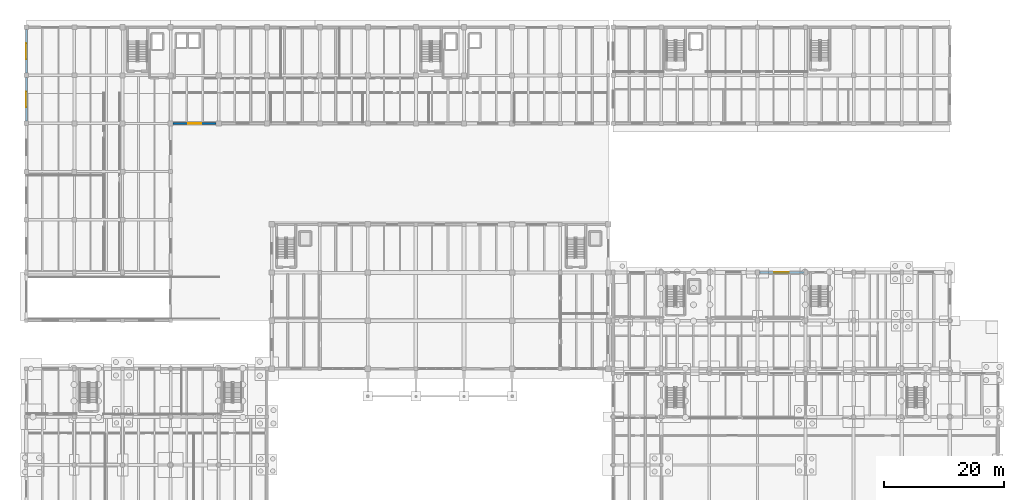
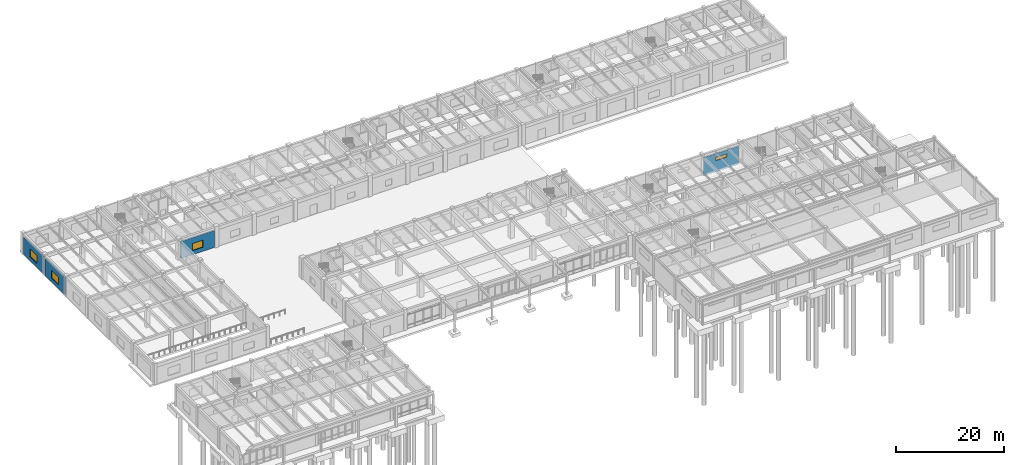
# One storey, part 38 of 64: 4 walls, 4 windows, 4 openings.
"""IFC4 building model written with IfcOpenShell, lengths in metres."""

from ifc_helpers import new_model, si_unit, direction, frame, frame_2d, origin, place, context, subcontext, project, spatial, rectangle, extrude, material, layer, layer_set, type_object, element, fill, save


model = new_model("IFC4")

# Units and contexts
model_context = context("Model", 3, precision=1e-05, world=origin(), true_north=direction((0.0, 1.0)))
body_context = subcontext(model_context, "Body", "Model", "MODEL_VIEW")
ifc_project = project(units=[si_unit("LENGTHUNIT", "METRE"), si_unit("AREAUNIT", "SQUARE_METRE"), si_unit("VOLUMEUNIT", "CUBIC_METRE"), si_unit("PLANEANGLEUNIT", "RADIAN"), si_unit("MASSUNIT", "GRAM", prefix="KILO")], contexts=[model_context])

# Site, building, storey
site_placement = place(None, origin())
site = spatial("IfcSite", under=ifc_project, at=site_placement, CompositionType="ELEMENT")
building_placement = place(site_placement, origin())
building = spatial("IfcBuilding", under=site, at=building_placement, Name="Tlaxcora Railside Police Headquarters", CompositionType="ELEMENT")
storey_placement = place(building_placement, origin())
storey = spatial("IfcBuildingStorey", under=building, at=storey_placement, Name="L00", CompositionType="ELEMENT", Elevation=0.0)

# Wall, opening, window
ifc_material_1 = material(Name="Volcanic basalt ashlar masonry", Category="masonry")
ifc_layer_1 = layer(ifc_material_1, 0.31494140625, Name="Volcanic basalt ashlar masonry")
ifc_layer_set_1 = layer_set([ifc_layer_1], Name="Volcanic basalt ashlar masonry")
wall_type_1 = type_object("IfcWallType", Name="Structural Bearing Wall EW-25", PredefinedType="SOLIDWALL", material=ifc_layer_set_1)
wall_1_placement = place(storey_placement, frame((29.625, 76.800048828125, 0.0), z_axis=(0.0, 0.0, 1.0), x_axis=(1.0, 0.0, 0.0)))
wall_1 = element("IfcWall", 1, at=wall_1_placement, inside=storey, type_object=wall_type_1, Name="V5 L00 exterior wall 2.0", PredefinedType="SOLIDWALL", context=body_context, shape_type="SweptSolid", body=[
    extrude(rectangle(XDim=7.14990234375, YDim=0.31494140625, at=frame_2d((3.574951171875, 0.0))), origin(), (0.0, 0.0, 1.0), 3.780029296875),
])
opening_1_placement = place(wall_1_placement, frame((2.47509765625, 0.0, 0.89990234375)))
opening_1 = element("IfcOpeningElement", 2, at=opening_1_placement, cuts=wall_1, Name="Opening WN-57", PredefinedType="OPENING", context=body_context, shape_type="SweptSolid", body=[
    extrude(rectangle(XDim=2.199951171875, YDim=1.60009765625, at=frame_2d((1.10009765625, 0.800048828125))), frame((0.0, 0.16748046875, 0.0), z_axis=(0.0, -1.0, 0.0), x_axis=(1.0, 0.0, 0.0)), (0.0, 0.0, 1.0), 0.3349609375),
])
ifc_material_2 = material(Name="Thermally broken low-E insulated glazing", Category="glass")
window_type_1 = type_object("IfcWindowType", Name="Exterior Framed or Circular Window WN-57", PartitioningType="SINGLE_PANEL", PredefinedType="WINDOW", material=ifc_material_2)
window_1_placement = place(opening_1_placement, origin())
window_1 = element("IfcWindow", 3, at=window_1_placement, inside=storey, type_object=window_type_1, Name="V5 L00 window 95", OverallHeight=1.60009765625, OverallWidth=2.199951171875, PartitioningType="SINGLE_PANEL", PredefinedType="WINDOW", context=body_context, shape_type="SweptSolid", body=[
    extrude(rectangle(XDim=2.199951171875, YDim=1.60009765625, at=frame_2d((1.10009765625, 0.800048828125))), frame((0.0, 0.030029296875, 0.0), z_axis=(0.0, -1.0, 0.0), x_axis=(1.0, 0.0, 0.0)), (0.0, 0.0, 1.0), 0.06005859375),
])
fill(opening_1, window_1)

wall_2_placement = place(storey_placement, frame((5.199951171875, 92.425048828125, 0.0), z_axis=(0.0, 0.0, 1.0), x_axis=(0.0, -1.0, 0.0)))
wall_2 = element("IfcWall", 4, at=wall_2_placement, inside=storey, type_object=wall_type_1, Name="V5 L00 exterior wall 5.0", PredefinedType="SOLIDWALL", context=body_context, shape_type="SweptSolid", body=[
    extrude(rectangle(XDim=7.25, YDim=0.31494140625, at=frame_2d((3.625, 0.0))), origin(), (0.0, 0.0, 1.0), 3.8798828125),
])
opening_2_placement = place(wall_2_placement, frame((2.324951171875, 0.0, 0.89990234375)))
opening_2 = element("IfcOpeningElement", 5, at=opening_2_placement, cuts=wall_2, Name="Opening WN-71", PredefinedType="OPENING", context=body_context, shape_type="SweptSolid", body=[
    extrude(rectangle(XDim=2.60009765625, YDim=1.800048828125, at=frame_2d((1.300048828125, 0.89990234375))), frame((0.0, 0.16748046875, 0.0), z_axis=(0.0, -1.0, 0.0), x_axis=(1.0, 0.0, 0.0)), (0.0, 0.0, 1.0), 0.3349609375),
])
window_type_2 = type_object("IfcWindowType", Name="Exterior Framed or Circular Window WN-71", PartitioningType="SINGLE_PANEL", PredefinedType="WINDOW", material=ifc_material_2)
window_2_placement = place(opening_2_placement, origin())
window_2 = element("IfcWindow", 6, at=window_2_placement, inside=storey, type_object=window_type_2, Name="V5 L00 window 109", OverallHeight=1.800048828125, OverallWidth=2.60009765625, PartitioningType="SINGLE_PANEL", PredefinedType="WINDOW", context=body_context, shape_type="SweptSolid", body=[
    extrude(rectangle(XDim=2.60009765625, YDim=1.800048828125, at=frame_2d((1.300048828125, 0.89990234375))), frame((0.0, 0.030029296875, 0.0), z_axis=(0.0, -1.0, 0.0), x_axis=(1.0, 0.0, 0.0)), (0.0, 0.0, 1.0), 0.06005859375),
])
fill(opening_2, window_2)

wall_3_placement = place(storey_placement, frame((5.199951171875, 84.425048828125, 0.0), z_axis=(0.0, 0.0, 1.0), x_axis=(0.0, -1.0, 0.0)))
wall_3 = element("IfcWall", 7, at=wall_3_placement, inside=storey, type_object=wall_type_1, Name="V5 L00 exterior wall 5.1", PredefinedType="SOLIDWALL", context=body_context, shape_type="SweptSolid", body=[
    extrude(rectangle(XDim=7.25, YDim=0.31494140625, at=frame_2d((3.625, 0.0))), origin(), (0.0, 0.0, 1.0), 3.8798828125),
])
opening_3_placement = place(wall_3_placement, frame((2.324951171875, 0.0, 0.89990234375)))
opening_3 = element("IfcOpeningElement", 8, at=opening_3_placement, cuts=wall_3, Name="Opening WN-71", PredefinedType="OPENING", context=body_context, shape_type="SweptSolid", body=[
    extrude(rectangle(XDim=2.60009765625, YDim=1.800048828125, at=frame_2d((1.300048828125, 0.89990234375))), frame((0.0, 0.16748046875, 0.0), z_axis=(0.0, -1.0, 0.0), x_axis=(1.0, 0.0, 0.0)), (0.0, 0.0, 1.0), 0.3349609375),
])
window_3_placement = place(opening_3_placement, origin())
window_3 = element("IfcWindow", 9, at=window_3_placement, inside=storey, type_object=window_type_2, Name="V5 L00 window 110", OverallHeight=1.800048828125, OverallWidth=2.60009765625, PartitioningType="SINGLE_PANEL", PredefinedType="WINDOW", context=body_context, shape_type="SweptSolid", body=[
    extrude(rectangle(XDim=2.60009765625, YDim=1.800048828125, at=frame_2d((1.300048828125, 0.89990234375))), frame((0.0, 0.030029296875, 0.0), z_axis=(0.0, -1.0, 0.0), x_axis=(1.0, 0.0, 0.0)), (0.0, 0.0, 1.0), 0.06005859375),
])
fill(opening_3, window_3)

ifc_layer_2 = layer(ifc_material_1, 0.360107421875, Name="Volcanic basalt ashlar masonry")
ifc_layer_set_2 = layer_set([ifc_layer_2], Name="Volcanic basalt ashlar masonry")
wall_type_2 = type_object("IfcWallType", Name="Structural Bearing Wall EW-52", PredefinedType="SOLIDWALL", material=ifc_layer_set_2)
wall_4_placement = place(storey_placement, frame((134.5, 52.0, -0.419921875), z_axis=(0.0, 0.0, 1.0), x_axis=(-1.0, 0.0, 0.0)))
wall_4 = element("IfcWall", 10, at=wall_4_placement, inside=storey, type_object=wall_type_2, Name="V7 L00 exterior wall 2.3", PredefinedType="SOLIDWALL", context=body_context, shape_type="SweptSolid", body=[
    extrude(rectangle(XDim=7.39990234375, YDim=0.360107421875, at=frame_2d((3.699951171875, 0.0))), origin(), (0.0, 0.0, 1.0), 4.1298828125),
])
opening_4_placement = place(wall_4_placement, frame((2.5, 0.0, 2.52001953125)))
opening_4 = element("IfcOpeningElement", 11, at=opening_4_placement, cuts=wall_4, Name="Opening WN-32", PredefinedType="OPENING", context=body_context, shape_type="SweptSolid", body=[
    extrude(rectangle(XDim=2.39990234375, YDim=0.75, at=frame_2d((1.199951171875, 0.375))), frame((0.0, 0.18994140625, 0.0), z_axis=(0.0, -1.0, 0.0), x_axis=(1.0, 0.0, 0.0)), (0.0, 0.0, 1.0), 0.380126953125),
])
window_type_3 = type_object("IfcWindowType", Name="Exterior Framed or Circular Window WN-32", PartitioningType="SINGLE_PANEL", PredefinedType="WINDOW", material=ifc_material_2)
window_4_placement = place(opening_4_placement, origin())
window_4 = element("IfcWindow", 12, at=window_4_placement, inside=storey, type_object=window_type_3, Name="V7 L00 window 193", OverallHeight=0.75, OverallWidth=2.39990234375, PartitioningType="SINGLE_PANEL", PredefinedType="WINDOW", context=body_context, shape_type="SweptSolid", body=[
    extrude(rectangle(XDim=2.39990234375, YDim=0.75, at=frame_2d((1.199951171875, 0.375))), frame((0.0, 0.030029296875, 0.0), z_axis=(0.0, -1.0, 0.0), x_axis=(1.0, 0.0, 0.0)), (0.0, 0.0, 1.0), 0.06005859375),
])
fill(opening_4, window_4)

save(model, "model.ifc")
